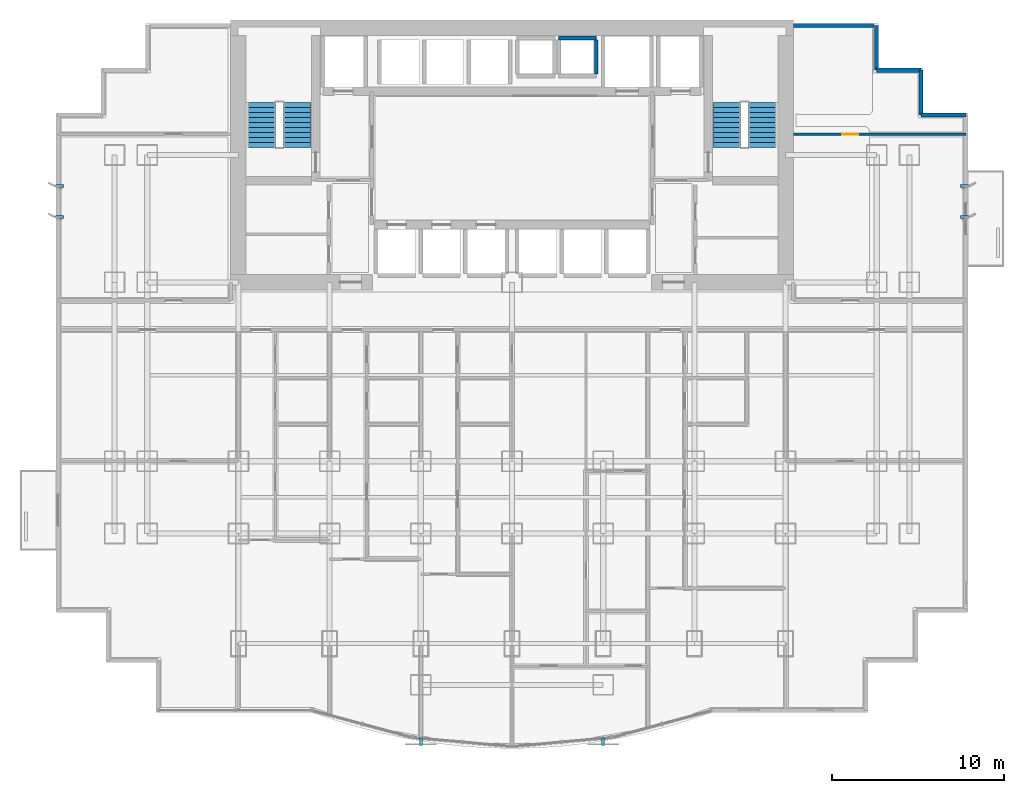
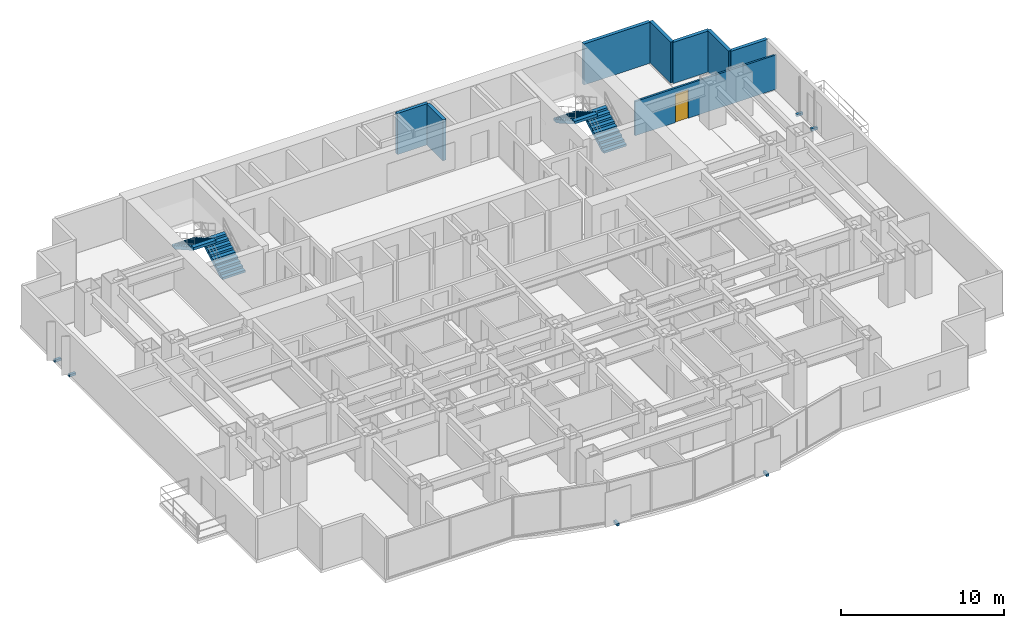
# One storey, part 8 of 10: 8 walls, 6 discrete accessories, 4 stair flights, 1 door, 1 opening, 2 elements without a shape of their own.
"""IFC4 building model written with IfcOpenShell, lengths in metres."""

from ifc_helpers import new_model, si_unit, direction, frame, frame_2d, origin, origin_2d, place, context, subcontext, project, spatial, polyline, rectangle, outline, extrude, source, transform, mapped, material, layer, layer_set, type_object, element, fill, aggregate, save


model = new_model("IFC4")

# Units and contexts
model_context = context("Model", 3, precision=1e-05, world=origin(), true_north=direction((0.0, 1.0)))
body_context = subcontext(model_context, "Body", "Model", "MODEL_VIEW")
ifc_project = project(units=[si_unit("LENGTHUNIT", "METRE"), si_unit("AREAUNIT", "SQUARE_METRE"), si_unit("VOLUMEUNIT", "CUBIC_METRE"), si_unit("PLANEANGLEUNIT", "RADIAN"), si_unit("MASSUNIT", "GRAM", prefix="KILO")], contexts=[model_context])

# Site, building, storey
site_placement = place(None, origin())
site = spatial("IfcSite", under=ifc_project, at=site_placement, CompositionType="ELEMENT")
building_placement = place(site_placement, origin())
building = spatial("IfcBuilding", under=site, at=building_placement, Name="Qianlan Lanfeng Residences", CompositionType="ELEMENT")
storey_placement = place(building_placement, frame((0.0, 0.0, 40.699951171875)))
storey = spatial("IfcBuildingStorey", under=building, at=storey_placement, Name="L10", CompositionType="ELEMENT", Elevation=40.699951171875)

# Walls
ifc_material_1 = material(Name="Concrete C42", Category="concrete")
ifc_layer_1 = layer(ifc_material_1, 0.239990234375)
ifc_layer_set_1 = layer_set([ifc_layer_1], Name="Concrete C42")
wall_type_1 = type_object("IfcWallType", Name="EW-240", PredefinedType="SOLIDWALL", material=ifc_layer_set_1)
wall_1_placement = place(storey_placement, frame((52.8798828125, 34.929931640625, 0.0), z_axis=(0.0, 0.0, 1.0), x_axis=(-1.0, 0.0, 0.0)))
element("IfcWall", 1, at=wall_1_placement, inside=storey, type_object=wall_type_1, Name="L10 Exterior Facade Spandrel Wall 11", PredefinedType="SOLIDWALL", context=body_context, shape_type="SweptSolid", body=[
    extrude(rectangle(XDim=2.599853515625, YDim=0.239990234375, at=frame_2d((1.2998046875, 0.0))), origin(), (0.0, 0.0, 1.0), 3.080078125),
])
for number, where, z_axis, x_axis, name in (
    (2, (50.280029296875, 34.929931640625, 0.0), (0.0, 0.0, 1.0), (0.0, 1.0, 0.0), "L10 Exterior Facade Spandrel Wall 12"),
    (3, (50.280029296875, 37.530029296875, 0.0), (0.0, 0.0, 1.0), (-1.0, 0.0, 0.0), "L10 Exterior Facade Spandrel Wall 13"),
):
    element("IfcWall", number, at=place(storey_placement, frame(where, z_axis=z_axis, x_axis=x_axis)), inside=storey, type_object=wall_type_1, Name=name, PredefinedType="SOLIDWALL", context=body_context, shape_type="SweptSolid", body=[
        extrude(rectangle(XDim=2.60009765625, YDim=0.239990234375, at=frame_2d((1.300048828125, 0.0))), origin(), (0.0, 0.0, 1.0), 3.080078125),
    ])
wall_2_placement = place(storey_placement, frame((47.679931640625, 37.530029296875, 0.0), z_axis=(0.0, 0.0, 1.0), x_axis=(0.0, 1.0, 0.0)))
element("IfcWall", 4, at=wall_2_placement, inside=storey, type_object=wall_type_1, Name="L10 Exterior Facade Spandrel Wall 14", PredefinedType="SOLIDWALL", context=body_context, shape_type="SweptSolid", body=[
    extrude(rectangle(XDim=2.599853515625, YDim=0.239990234375, at=frame_2d((1.2998046875, 0.0))), origin(), (0.0, 0.0, 1.0), 3.080078125),
])
wall_3_placement = place(storey_placement, frame((47.550048828125, 40.1298828125, 0.0), z_axis=(0.0, 0.0, 1.0), x_axis=(-1.0, 0.0, 0.0)))
element("IfcWall", 5, at=wall_3_placement, inside=storey, type_object=wall_type_1, Name="L10 North Wing Exterior Wall E", PredefinedType="SOLIDWALL", context=body_context, shape_type="SweptSolid", body=[
    extrude(rectangle(XDim=4.699951171875, YDim=0.239990234375, at=frame_2d((2.35009765625, 0.0))), origin(), (0.0, 0.0, 1.0), 3.080078125),
])

# Wall, opening, door
ifc_material_2 = material(Name="Moisture-Resistant Gypsum Partition 135 mm")
ifc_layer_2 = layer(ifc_material_2, 0.135009765625)
ifc_layer_set_2 = layer_set([ifc_layer_2], Name="Moisture-Resistant Gypsum Partition 135 mm")
wall_type_2 = type_object("IfcWallType", Name="PW-135", PredefinedType="PARTITIONING", material=ifc_layer_set_2)
wall_4_placement = place(storey_placement, frame((42.85009765625, 33.800048828125, 0.0), z_axis=(0.0, 0.0, 1.0), x_axis=(1.0, 0.0, 0.0)))
wall_4 = element("IfcWall", 6, at=wall_4_placement, inside=storey, type_object=wall_type_2, Name="L10 EW North Wing Wall", PredefinedType="PARTITIONING", context=body_context, shape_type="SweptSolid", body=[
    extrude(rectangle(XDim=10.02978515625, YDim=0.135009765625, at=frame_2d((5.014892578125, 0.0))), origin(), (0.0, 0.0, 1.0), 2.570068359375),
])
opening_placement = place(wall_4_placement, frame((2.85498046875, 0.0, 0.0)))
opening = element("IfcOpeningElement", 7, at=opening_placement, cuts=wall_4, Name="Opening L10-D46", PredefinedType="OPENING", context=body_context, shape_type="SweptSolid", body=[
    extrude(rectangle(XDim=0.919921875, YDim=2.14990234375, at=frame_2d((0.4599609375, 1.074951171875))), frame((0.0, 0.07763671875, 0.0), z_axis=(0.0, -1.0, 0.0), x_axis=(1.0, 0.0, 0.0)), (0.0, 0.0, 1.0), 0.155029296875),
])
ifc_material_3 = material(Name="Glazed Timber Kitchen/Study Door", Category="wood")
door_type = type_object("IfcDoorType", Name="DT-INT", OperationType="NOTDEFINED", PredefinedType="DOOR", material=ifc_material_3)
door_placement = place(opening_placement, origin())
door = element("IfcDoor", 8, at=door_placement, inside=storey, type_object=door_type, Name="L10 EW Inner Salon Door L10-D46 (DT-INT)", OperationType="SINGLE_SWING_LEFT", OverallHeight=2.14990234375, OverallWidth=0.919921875, PredefinedType="DOOR", context=body_context, shape_type="SweptSolid", body=[
    extrude(rectangle(XDim=0.919921875, YDim=2.14990234375, at=frame_2d((0.4599609375, 1.074951171875))), frame((0.0, 0.02490234375, 0.0), z_axis=(0.0, -1.0, 0.0), x_axis=(1.0, 0.0, 0.0)), (0.0, 0.0, 1.0), 0.050048828125),
])
fill(opening, door)

# Walls
ifc_material_4 = material(Name="Concrete C49", Category="concrete")
ifc_layer_3 = layer(ifc_material_4, 0.219970703125)
ifc_layer_set_3 = layer_set([ifc_layer_3], Name="Concrete C49")
wall_type_3 = type_object("IfcWallType", Name="SHW-220", PredefinedType="SOLIDWALL", material=ifc_layer_set_3)
wall_5_placement = place(storey_placement, frame((31.39990234375, 37.31005859375, 0.0), z_axis=(0.0, 0.0, 1.0), x_axis=(0.0, 1.0, 0.0)))
element("IfcWall", 9, at=wall_5_placement, inside=storey, type_object=wall_type_3, Name="L10 MEP Riser MEP-R2 Shaft Wall E", PredefinedType="SOLIDWALL", context=body_context, shape_type="SweptSolid", body=[
    extrude(rectangle(XDim=1.97998046875, YDim=0.219970703125, at=frame_2d((0.989990234375, 0.0))), origin(), (0.0, 0.0, 1.0), 3.080078125),
])
wall_6_placement = place(storey_placement, frame((29.199951171875, 39.39990234375, 0.0), z_axis=(0.0, 0.0, 1.0), x_axis=(1.0, 0.0, 0.0)))
element("IfcWall", 10, at=wall_6_placement, inside=storey, type_object=wall_type_3, Name="L10 MEP Riser MEP-R2 Shaft Wall N", PredefinedType="SOLIDWALL", context=body_context, shape_type="SweptSolid", body=[
    extrude(rectangle(XDim=2.199951171875, YDim=0.219970703125, at=frame_2d((1.10009765625, 0.0))), origin(), (0.0, 0.0, 1.0), 3.080078125),
])

# Stair, stair flights
stair_type = type_object("IfcStairType", Name="STR-MAIN", PredefinedType="HALF_TURN_STAIR", material=ifc_material_1)
stair_1_placement = place(storey_placement, origin())
stair_1 = element("IfcStair", 11, at=stair_1_placement, inside=storey, type_object=stair_type, Name="L10 Exit Stair ST-1", PredefinedType="HALF_TURN_STAIR")
stair_flight_type = type_object("IfcStairFlightType", Name="FLT-1720", PredefinedType="STRAIGHT", material=ifc_material_1)
stair_flight_1_placement = place(storey_placement, frame((14.02001953125, 33.050048828125, 0.0), z_axis=(0.0, 0.0, 1.0), x_axis=(0.0, 1.0, 0.0)))
stair_flight_1 = element("IfcStairFlight", 12, at=stair_flight_1_placement, type_object=stair_flight_type, Name="ST-1 flight 1", NumberOfRisers=10, NumberOfTreads=9, PredefinedType="STRAIGHT", RiserHeight=0.165, TreadLength=0.29, context=body_context, shape_type="SweptSolid", body=[
    extrude(outline(polyline([(0.0, 0.0), (0.0, 0.1650390625), (0.2900390625, 0.1650390625), (0.2900390625, 0.330078125), (0.580078125, 0.330078125), (0.580078125, 0.4951171875), (0.8701171875, 0.4951171875), (0.8701171875, 0.659912109375), (1.159912109375, 0.659912109375), (1.159912109375, 0.824951171875), (1.449951171875, 0.824951171875), (1.449951171875, 0.989990234375), (1.739990234375, 0.989990234375), (1.739990234375, 1.155029296875), (2.030029296875, 1.155029296875), (2.030029296875, 1.320068359375), (2.320068359375, 1.320068359375), (2.320068359375, 1.485107421875), (2.610107421875, 1.485107421875), (2.610107421875, 1.64990234375), (2.610107421875, 1.278076171875), (0.36376953125, 0.0), (0.0, 0.0)])), frame((0.0, 0.800048828125, 0.0), z_axis=(0.0, -1.0, 0.0), x_axis=(1.0, 0.0, 0.0)), (0.0, 0.0, 1.0), 1.60009765625),
])
stair_flight_2_placement = place(storey_placement, frame((11.93994140625, 35.659912109375, 1.650146484375), z_axis=(0.0, 0.0, 1.0), x_axis=(0.0, -1.0, 0.0)))
stair_flight_2 = element("IfcStairFlight", 13, at=stair_flight_2_placement, type_object=stair_flight_type, Name="ST-1 flight 2", NumberOfRisers=10, NumberOfTreads=9, PredefinedType="STRAIGHT", RiserHeight=0.165, TreadLength=0.29, context=body_context, shape_type="SweptSolid", body=[
    extrude(outline(polyline([(0.0, 0.0), (0.0, 0.1650390625), (0.2900390625, 0.1650390625), (0.2900390625, 0.330078125), (0.580078125, 0.330078125), (0.580078125, 0.4951171875), (0.8701171875, 0.4951171875), (0.8701171875, 0.659912109375), (1.159912109375, 0.659912109375), (1.159912109375, 0.824951171875), (1.449951171875, 0.824951171875), (1.449951171875, 0.989990234375), (1.739990234375, 0.989990234375), (1.739990234375, 1.155029296875), (2.030029296875, 1.155029296875), (2.030029296875, 1.320068359375), (2.320068359375, 1.320068359375), (2.320068359375, 1.485107421875), (2.610107421875, 1.485107421875), (2.610107421875, 1.64990234375), (2.610107421875, 1.278076171875), (0.36376953125, 0.0), (0.0, 0.0)])), frame((0.0, 0.800048828125, 0.0), z_axis=(0.0, -1.0, 0.0), x_axis=(1.0, 0.0, 0.0)), (0.0, 0.0, 1.0), 1.60009765625),
])
aggregate(stair_1, [stair_flight_1, stair_flight_2])

stair_2_placement = place(storey_placement, origin())
stair_2 = element("IfcStair", 14, at=stair_2_placement, inside=storey, type_object=stair_type, Name="L10 Exit Stair ST-2", PredefinedType="HALF_TURN_STAIR")
stair_flight_3_placement = place(storey_placement, frame((41.06005859375, 33.050048828125, 0.0), z_axis=(0.0, 0.0, 1.0), x_axis=(0.0, 1.0, 0.0)))
stair_flight_3 = element("IfcStairFlight", 15, at=stair_flight_3_placement, type_object=stair_flight_type, Name="ST-2 flight 1", NumberOfRisers=10, NumberOfTreads=9, PredefinedType="STRAIGHT", RiserHeight=0.165, TreadLength=0.29, context=body_context, shape_type="SweptSolid", body=[
    extrude(outline(polyline([(0.0, 0.0), (0.0, 0.1650390625), (0.2900390625, 0.1650390625), (0.2900390625, 0.330078125), (0.580078125, 0.330078125), (0.580078125, 0.4951171875), (0.8701171875, 0.4951171875), (0.8701171875, 0.659912109375), (1.159912109375, 0.659912109375), (1.159912109375, 0.824951171875), (1.449951171875, 0.824951171875), (1.449951171875, 0.989990234375), (1.739990234375, 0.989990234375), (1.739990234375, 1.155029296875), (2.030029296875, 1.155029296875), (2.030029296875, 1.320068359375), (2.320068359375, 1.320068359375), (2.320068359375, 1.485107421875), (2.610107421875, 1.485107421875), (2.610107421875, 1.64990234375), (2.610107421875, 1.278076171875), (0.36376953125, 0.0), (0.0, 0.0)])), frame((0.0, 0.800048828125, 0.0), z_axis=(0.0, -1.0, 0.0), x_axis=(1.0, 0.0, 0.0)), (0.0, 0.0, 1.0), 1.60009765625),
])
stair_flight_4_placement = place(storey_placement, frame((38.97998046875, 35.659912109375, 1.650146484375), z_axis=(0.0, 0.0, 1.0), x_axis=(0.0, -1.0, 0.0)))
stair_flight_4 = element("IfcStairFlight", 16, at=stair_flight_4_placement, type_object=stair_flight_type, Name="ST-2 flight 2", NumberOfRisers=10, NumberOfTreads=9, PredefinedType="STRAIGHT", RiserHeight=0.165, TreadLength=0.29, context=body_context, shape_type="SweptSolid", body=[
    extrude(outline(polyline([(0.0, 0.0), (0.0, 0.1650390625), (0.2900390625, 0.1650390625), (0.2900390625, 0.330078125), (0.580078125, 0.330078125), (0.580078125, 0.4951171875), (0.8701171875, 0.4951171875), (0.8701171875, 0.659912109375), (1.159912109375, 0.659912109375), (1.159912109375, 0.824951171875), (1.449951171875, 0.824951171875), (1.449951171875, 0.989990234375), (1.739990234375, 0.989990234375), (1.739990234375, 1.155029296875), (2.030029296875, 1.155029296875), (2.030029296875, 1.320068359375), (2.320068359375, 1.320068359375), (2.320068359375, 1.485107421875), (2.610107421875, 1.485107421875), (2.610107421875, 1.64990234375), (2.610107421875, 1.278076171875), (0.36376953125, 0.0), (0.0, 0.0)])), frame((0.0, 0.800048828125, 0.0), z_axis=(0.0, -1.0, 0.0), x_axis=(1.0, 0.0, 0.0)), (0.0, 0.0, 1.0), 1.60009765625),
])
aggregate(stair_2, [stair_flight_3, stair_flight_4])

# Discrete accessories
ifc_material_5 = material(Name="Stainless Steel Facade Bracket", Category="steel")
discrete_accessory_type = type_object("IfcDiscreteAccessoryType", Name="BRK-SS-350", PredefinedType="BRACKET", material=ifc_material_5)
shared_shape_1 = source(origin(), body_context, "Body", "SweptSolid", [
    extrude(rectangle(XDim=0.179931640625, YDim=0.449951171875, at=origin_2d()), origin(), (0.0, 0.0, 1.0), 0.179931640625),
])
for number, where, z_axis, x_axis, name in (
    (17, (21.199951171875, -1.5, -0.14990234375), (0.0, 0.0, 1.0), (1.0, 0.0, 0.0), "L10 Solar Screen Support Bracket 1"),
    (18, (31.800048828125, -1.5, -0.14990234375), (0.0, 0.0, 1.0), (1.0, 0.0, 0.0), "L10 Solar Screen Support Bracket 2"),
):
    element("IfcDiscreteAccessory", number, at=place(storey_placement, frame(where, z_axis=z_axis, x_axis=x_axis)), inside=storey, type_object=discrete_accessory_type, Name=name, PredefinedType="BRACKET", context=body_context, shape_type="MappedRepresentation", body=[
        mapped(shared_shape_1, transform((0.0, 0.0, 0.0), scale=1.0)),
    ])
shared_shape_2 = source(origin(), body_context, "Body", "SweptSolid", [
    extrude(rectangle(XDim=0.449951171875, YDim=0.179931640625, at=origin_2d()), origin(), (0.0, 0.0, 1.0), 0.179931640625),
])
for number, where, z_axis, x_axis, name in (
    (19, (0.199951171875, 29.0, -0.14990234375), (0.0, 0.0, 1.0), (1.0, 0.0, 0.0), "L10 Raked Solar Fin Support Bracket W1"),
    (20, (0.199951171875, 30.800048828125, -0.14990234375), (0.0, 0.0, 1.0), (1.0, 0.0, 0.0), "L10 Raked Solar Fin Support Bracket W2"),
    (21, (52.800048828125, 29.0, -0.14990234375), (0.0, 0.0, 1.0), (1.0, 0.0, 0.0), "L10 Raked Solar Fin Support Bracket E1"),
    (22, (52.800048828125, 30.800048828125, -0.14990234375), (0.0, 0.0, 1.0), (1.0, 0.0, 0.0), "L10 Raked Solar Fin Support Bracket E2"),
):
    element("IfcDiscreteAccessory", number, at=place(storey_placement, frame(where, z_axis=z_axis, x_axis=x_axis)), inside=storey, type_object=discrete_accessory_type, Name=name, PredefinedType="BRACKET", context=body_context, shape_type="MappedRepresentation", body=[
        mapped(shared_shape_2, transform((0.0, 0.0, 0.0), scale=1.0)),
    ])

save(model, "model.ifc")
